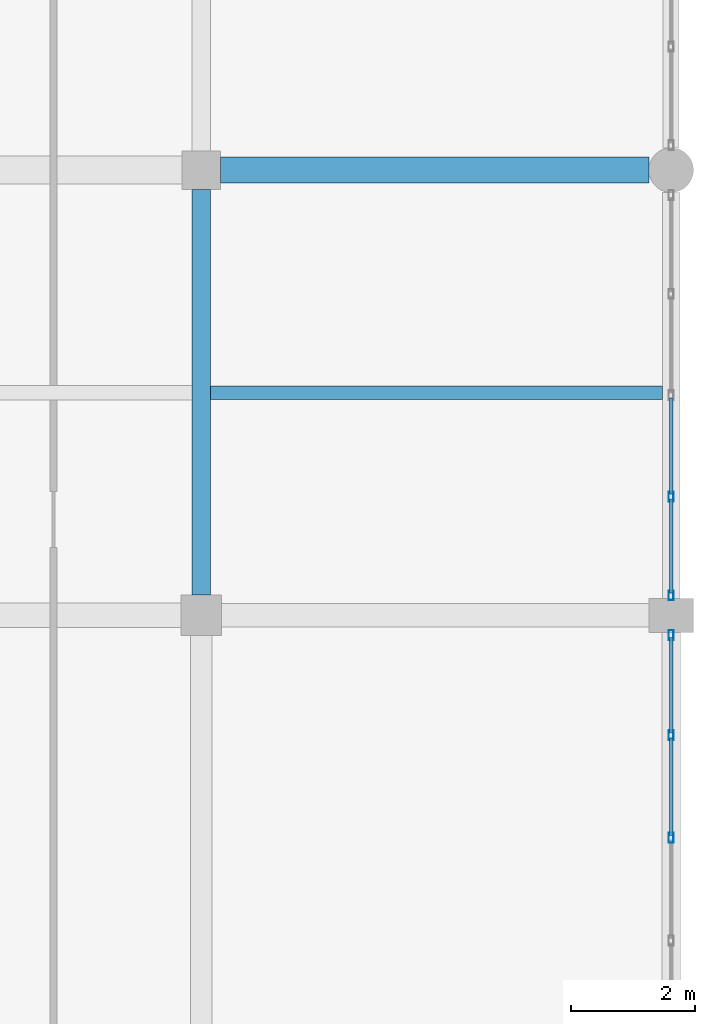
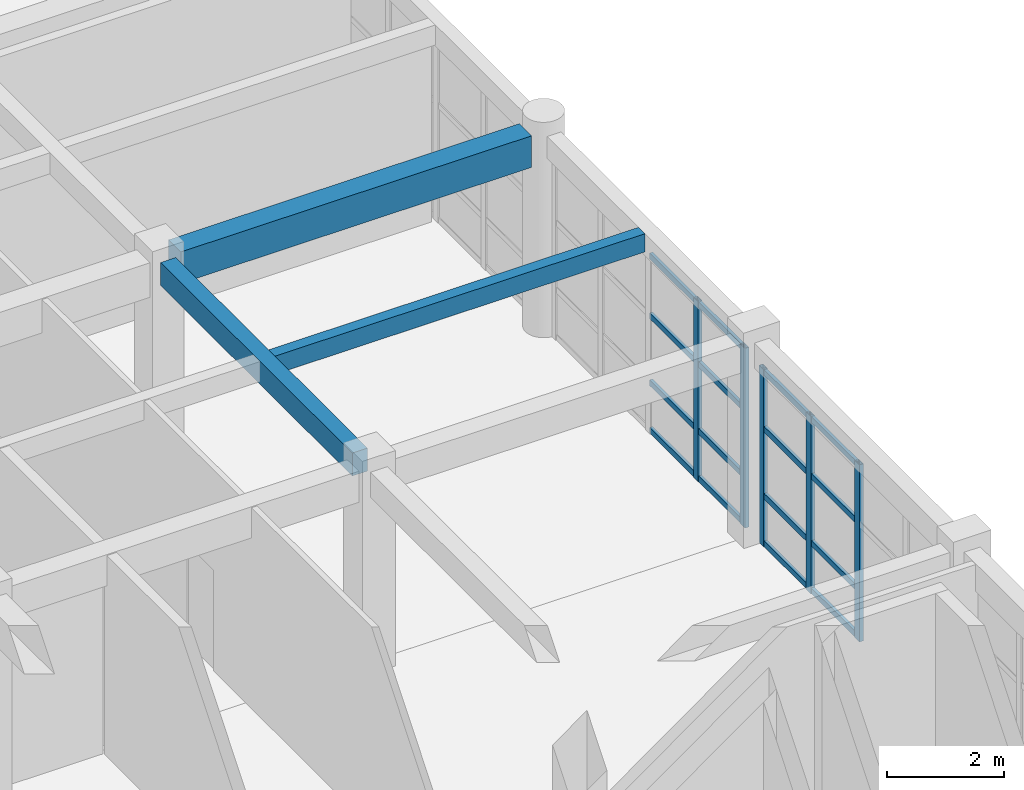
# One storey, part 106 of 160: 21 members, 3 beams, 2 elements without a shape of their own.
"""IFC4 building model written with IfcOpenShell, lengths in metres."""

from ifc_helpers import new_model, si_unit, direction, frame, origin, origin_2d, place, context, subcontext, project, spatial, rectangle, hollow_rectangle, extrude, material, material_profile, profile_set, type_object, element, aggregate, save


model = new_model("IFC4")

# Units and contexts
model_context = context("Model", 3, precision=1e-05, world=origin(), true_north=direction((0.0, 1.0)))
body_context = subcontext(model_context, "Body", "Model", "MODEL_VIEW")
ifc_project = project(units=[si_unit("LENGTHUNIT", "METRE"), si_unit("AREAUNIT", "SQUARE_METRE"), si_unit("VOLUMEUNIT", "CUBIC_METRE"), si_unit("PLANEANGLEUNIT", "RADIAN"), si_unit("MASSUNIT", "GRAM", prefix="KILO")], contexts=[model_context])

# Site, building, storey
site_placement = place(None, origin())
site = spatial("IfcSite", under=ifc_project, at=site_placement, CompositionType="ELEMENT")
building_placement = place(site_placement, origin())
building = spatial("IfcBuilding", under=site, at=building_placement, Name="Kharva Crest Polytechnic", CompositionType="ELEMENT")
storey_placement = place(building_placement, frame((0.0, 0.0, 4.5)))
storey = spatial("IfcBuildingStorey", under=building, at=storey_placement, Name="L01", CompositionType="ELEMENT", Elevation=4.5)

# Beams
ifc_material_1 = material(Name="Concrete C35/45", Category="concrete")
ifc_material_profile_1 = material_profile(ifc_material_1, rectangle(XDim=0.300048828125, YDim=0.47998046875, at=origin_2d()), Name="RECT 300 X 480")
ifc_profile_set_1 = profile_set([ifc_material_profile_1], Name="Concrete C35/45")
beam_type_1 = type_object("IfcBeamType", Name="BM-RC-300X480", PredefinedType="BEAM", material=ifc_profile_set_1)
beam_1_placement = place(storey_placement, frame((176.39990234375, 100.72509765625, 3.97998046875), z_axis=(0.0, 1.0, 0.0), x_axis=(-1.0, 0.0, 0.0)))
element("IfcBeam", 1, at=beam_1_placement, inside=storey, type_object=beam_type_1, Name="L01 Girder 23/P-Q", PredefinedType="BEAM", context=body_context, shape_type="SweptSolid", body=[
    extrude(rectangle(XDim=0.300048828125, YDim=0.47998046875, at=origin_2d()), origin(), (0.0, 0.0, 1.0), 6.56494140625),
])
ifc_material_profile_2 = material_profile(ifc_material_1, rectangle(XDim=0.419921875, YDim=0.659912109375, at=origin_2d()), Name="RECT 420 X 660")
ifc_profile_set_2 = profile_set([ifc_material_profile_2], Name="Concrete C35/45")
beam_type_2 = type_object("IfcBeamType", Name="BM-RC-420X660", PredefinedType="BEAM", material=ifc_profile_set_2)
beam_2_placement = place(storey_placement, frame((176.7099609375, 107.60009765625, 3.889892578125), z_axis=(1.0, 0.0, 0.0), x_axis=(0.0, 1.0, 0.0)))
element("IfcBeam", 2, at=beam_2_placement, inside=storey, type_object=beam_type_2, Name="L01 Beam Q/23-24", PredefinedType="BEAM", context=body_context, shape_type="SweptSolid", body=[
    extrude(rectangle(XDim=0.419921875, YDim=0.659912109375, at=origin_2d()), origin(), (0.0, 0.0, 1.0), 6.929931640625),
])

# Curtain wall, members
ifc_material_2 = material(Name="Tempered insulated glass", Category="glass")
curtain_wall_type = type_object("IfcCurtainWallType", Name="CW-SYS-COURT", PredefinedType="USERDEFINED", material=ifc_material_2)
curtain_wall_1_placement = place(storey_placement, origin())
curtain_wall_1 = element("IfcCurtainWall", 3, at=curtain_wall_1_placement, inside=storey, type_object=curtain_wall_type, Name="L01 Glazed Curtain Wall CW-064", ObjectType="CURTAIN WALL", PredefinedType="USERDEFINED")
ifc_material_3 = material(Name="Steel S355", Category="steel")
ifc_material_profile_3 = material_profile(ifc_material_3, hollow_rectangle(XDim=0.080078125, YDim=0.159912109375, WallThickness=0.0048828125, at=origin_2d()), Name="RHS 160X80X5.0")
ifc_profile_set_3 = profile_set([ifc_material_profile_3], Name="Steel S355")
member_type_1 = type_object("IfcMemberType", Name="CWM-RHS160X80", PredefinedType="MULLION", material=ifc_profile_set_3)
member_1_placement = place(storey_placement, frame((184.0, 96.800048828125, 0.0), z_axis=(0.0, 0.0, 1.0), x_axis=(-1.0, 0.0, 0.0)))
member_1 = element("IfcMember", 4, at=member_1_placement, type_object=member_type_1, Name="CW-064 mullion 3", PredefinedType="MULLION", context=body_context, shape_type="SweptSolid", body=[
    extrude(hollow_rectangle(XDim=0.080078125, YDim=0.159912109375, WallThickness=0.0048828125, at=origin_2d()), origin(), (0.0, 0.0, 1.0), 3.699951171875),
])
member_2_placement = place(storey_placement, frame((184.0, 98.4599609375, 0.0), z_axis=(0.0, 0.0, 1.0), x_axis=(-1.0, 0.0, 0.0)))
member_2 = element("IfcMember", 5, at=member_2_placement, type_object=member_type_1, Name="CW-064 mullion 4", PredefinedType="MULLION", context=body_context, shape_type="SweptSolid", body=[
    extrude(hollow_rectangle(XDim=0.080078125, YDim=0.159912109375, WallThickness=0.0048828125, at=origin_2d()), origin(), (0.0, 0.0, 1.0), 3.699951171875),
])
member_3_placement = place(storey_placement, frame((184.0, 100.080078125, 0.0), z_axis=(0.0, 0.0, 1.0), x_axis=(-1.0, 0.0, 0.0)))
member_3 = element("IfcMember", 6, at=member_3_placement, type_object=member_type_1, Name="CW-064 mullion 5", PredefinedType="MULLION", context=body_context, shape_type="SweptSolid", body=[
    extrude(hollow_rectangle(XDim=0.080078125, YDim=0.159912109375, WallThickness=0.0048828125, at=origin_2d()), origin(), (0.0, 0.0, 1.0), 3.699951171875),
])

curtain_wall_2_placement = place(storey_placement, origin())
curtain_wall_2 = element("IfcCurtainWall", 7, at=curtain_wall_2_placement, inside=storey, type_object=curtain_wall_type, Name="L01 Glazed Curtain Wall CW-065", ObjectType="CURTAIN WALL", PredefinedType="USERDEFINED")
member_4_placement = place(storey_placement, frame((184.0, 100.719970703125, 0.0), z_axis=(0.0, 0.0, 1.0), x_axis=(-1.0, 0.0, 0.0)))
member_4 = element("IfcMember", 8, at=member_4_placement, type_object=member_type_1, Name="CW-065 mullion 1", PredefinedType="MULLION", context=body_context, shape_type="SweptSolid", body=[
    extrude(hollow_rectangle(XDim=0.080078125, YDim=0.159912109375, WallThickness=0.0048828125, at=origin_2d()), origin(), (0.0, 0.0, 1.0), 3.760009765625),
])
member_5_placement = place(storey_placement, frame((184.0, 102.31884765625, 0.0), z_axis=(0.0, 0.0, 1.0), x_axis=(-1.0, 0.0, 0.0)))
member_5 = element("IfcMember", 9, at=member_5_placement, type_object=member_type_1, Name="CW-065 mullion 2", PredefinedType="MULLION", context=body_context, shape_type="SweptSolid", body=[
    extrude(hollow_rectangle(XDim=0.080078125, YDim=0.159912109375, WallThickness=0.0048828125, at=origin_2d()), origin(), (0.0, 0.0, 1.0), 3.760009765625),
])

# Member
ifc_material_profile_4 = material_profile(ifc_material_3, hollow_rectangle(XDim=0.06005859375, YDim=0.1201171875, WallThickness=0.00390625, at=origin_2d()), Name="RHS 120X60X4.0")
ifc_profile_set_4 = profile_set([ifc_material_profile_4], Name="Steel S355")
member_type_2 = type_object("IfcMemberType", Name="CWT-RHS120X60", PredefinedType="USERDEFINED", material=ifc_profile_set_4)
member_6_placement = place(storey_placement, frame((184.0, 96.840087890625, 0.06005859375), z_axis=(0.0, 1.0, 0.0), x_axis=(-1.0, 0.0, 0.0)))
member_6 = element("IfcMember", 10, at=member_6_placement, type_object=member_type_2, Name="CW-064 transom 3.1", ObjectType="TRANSOM", PredefinedType="USERDEFINED", context=body_context, shape_type="SweptSolid", body=[
    extrude(hollow_rectangle(XDim=0.06005859375, YDim=0.1201171875, WallThickness=0.00390625, at=origin_2d()), origin(), (0.0, 0.0, 1.0), 1.579833984375),
])

member_7_placement = place(storey_placement, frame((184.0, 96.840087890625, 1.050048828125), z_axis=(0.0, 1.0, 0.0), x_axis=(-1.0, 0.0, 0.0)))
member_7 = element("IfcMember", 11, at=member_7_placement, type_object=member_type_2, Name="CW-064 transom 3.2", ObjectType="TRANSOM", PredefinedType="USERDEFINED", context=body_context, shape_type="SweptSolid", body=[
    extrude(hollow_rectangle(XDim=0.06005859375, YDim=0.1201171875, WallThickness=0.00390625, at=origin_2d()), origin(), (0.0, 0.0, 1.0), 1.579833984375),
])

member_8_placement = place(storey_placement, frame((184.0, 96.840087890625, 2.449951171875), z_axis=(0.0, 1.0, 0.0), x_axis=(-1.0, 0.0, 0.0)))
member_8 = element("IfcMember", 12, at=member_8_placement, type_object=member_type_2, Name="CW-064 transom 3.3", ObjectType="TRANSOM", PredefinedType="USERDEFINED", context=body_context, shape_type="SweptSolid", body=[
    extrude(hollow_rectangle(XDim=0.06005859375, YDim=0.1201171875, WallThickness=0.00390625, at=origin_2d()), origin(), (0.0, 0.0, 1.0), 1.579833984375),
])

member_9_placement = place(storey_placement, frame((184.0, 96.840087890625, 3.639892578125), z_axis=(0.0, 1.0, 0.0), x_axis=(-1.0, 0.0, 0.0)))
member_9 = element("IfcMember", 13, at=member_9_placement, type_object=member_type_2, Name="CW-064 transom 3.4", ObjectType="TRANSOM", PredefinedType="USERDEFINED", context=body_context, shape_type="SweptSolid", body=[
    extrude(hollow_rectangle(XDim=0.06005859375, YDim=0.1201171875, WallThickness=0.00390625, at=origin_2d()), origin(), (0.0, 0.0, 1.0), 1.579833984375),
])

member_10_placement = place(storey_placement, frame((184.0, 98.5, 0.06005859375), z_axis=(0.0, 1.0, 0.0), x_axis=(-1.0, 0.0, 0.0)))
member_10 = element("IfcMember", 14, at=member_10_placement, type_object=member_type_2, Name="CW-064 transom 4.1", ObjectType="TRANSOM", PredefinedType="USERDEFINED", context=body_context, shape_type="SweptSolid", body=[
    extrude(hollow_rectangle(XDim=0.06005859375, YDim=0.1201171875, WallThickness=0.00390625, at=origin_2d()), origin(), (0.0, 0.0, 1.0), 1.5400390625),
])

member_11_placement = place(storey_placement, frame((184.0, 98.5, 1.050048828125), z_axis=(0.0, 1.0, 0.0), x_axis=(-1.0, 0.0, 0.0)))
member_11 = element("IfcMember", 15, at=member_11_placement, type_object=member_type_2, Name="CW-064 transom 4.2", ObjectType="TRANSOM", PredefinedType="USERDEFINED", context=body_context, shape_type="SweptSolid", body=[
    extrude(hollow_rectangle(XDim=0.06005859375, YDim=0.1201171875, WallThickness=0.00390625, at=origin_2d()), origin(), (0.0, 0.0, 1.0), 1.5400390625),
])

member_12_placement = place(storey_placement, frame((184.0, 98.5, 2.449951171875), z_axis=(0.0, 1.0, 0.0), x_axis=(-1.0, 0.0, 0.0)))
member_12 = element("IfcMember", 16, at=member_12_placement, type_object=member_type_2, Name="CW-064 transom 4.3", ObjectType="TRANSOM", PredefinedType="USERDEFINED", context=body_context, shape_type="SweptSolid", body=[
    extrude(hollow_rectangle(XDim=0.06005859375, YDim=0.1201171875, WallThickness=0.00390625, at=origin_2d()), origin(), (0.0, 0.0, 1.0), 1.5400390625),
])

member_13_placement = place(storey_placement, frame((184.0, 98.5, 3.639892578125), z_axis=(0.0, 1.0, 0.0), x_axis=(-1.0, 0.0, 0.0)))
member_13 = element("IfcMember", 17, at=member_13_placement, type_object=member_type_2, Name="CW-064 transom 4.4", ObjectType="TRANSOM", PredefinedType="USERDEFINED", context=body_context, shape_type="SweptSolid", body=[
    extrude(hollow_rectangle(XDim=0.06005859375, YDim=0.1201171875, WallThickness=0.00390625, at=origin_2d()), origin(), (0.0, 0.0, 1.0), 1.5400390625),
])

aggregate(curtain_wall_1, [member_1, member_2, member_3, member_6, member_7, member_8, member_9, member_10, member_11, member_12, member_13])

member_14_placement = place(storey_placement, frame((184.0, 100.760009765625, 0.06005859375), z_axis=(0.0, 1.0, 0.0), x_axis=(-1.0, 0.0, 0.0)))
member_14 = element("IfcMember", 18, at=member_14_placement, type_object=member_type_2, Name="CW-065 transom 1.1", ObjectType="TRANSOM", PredefinedType="USERDEFINED", context=body_context, shape_type="SweptSolid", body=[
    extrude(hollow_rectangle(XDim=0.06005859375, YDim=0.1201171875, WallThickness=0.00390625, at=origin_2d()), origin(), (0.0, 0.0, 1.0), 1.518798828125),
])

member_15_placement = place(storey_placement, frame((184.0, 100.760009765625, 1.050048828125), z_axis=(0.0, 1.0, 0.0), x_axis=(-1.0, 0.0, 0.0)))
member_15 = element("IfcMember", 19, at=member_15_placement, type_object=member_type_2, Name="CW-065 transom 1.2", ObjectType="TRANSOM", PredefinedType="USERDEFINED", context=body_context, shape_type="SweptSolid", body=[
    extrude(hollow_rectangle(XDim=0.06005859375, YDim=0.1201171875, WallThickness=0.00390625, at=origin_2d()), origin(), (0.0, 0.0, 1.0), 1.518798828125),
])

member_16_placement = place(storey_placement, frame((184.0, 100.760009765625, 2.449951171875), z_axis=(0.0, 1.0, 0.0), x_axis=(-1.0, 0.0, 0.0)))
member_16 = element("IfcMember", 20, at=member_16_placement, type_object=member_type_2, Name="CW-065 transom 1.3", ObjectType="TRANSOM", PredefinedType="USERDEFINED", context=body_context, shape_type="SweptSolid", body=[
    extrude(hollow_rectangle(XDim=0.06005859375, YDim=0.1201171875, WallThickness=0.00390625, at=origin_2d()), origin(), (0.0, 0.0, 1.0), 1.518798828125),
])

member_17_placement = place(storey_placement, frame((184.0, 100.760009765625, 3.699951171875), z_axis=(0.0, 1.0, 0.0), x_axis=(-1.0, 0.0, 0.0)))
member_17 = element("IfcMember", 21, at=member_17_placement, type_object=member_type_2, Name="CW-065 transom 1.4", ObjectType="TRANSOM", PredefinedType="USERDEFINED", context=body_context, shape_type="SweptSolid", body=[
    extrude(hollow_rectangle(XDim=0.06005859375, YDim=0.1201171875, WallThickness=0.00390625, at=origin_2d()), origin(), (0.0, 0.0, 1.0), 1.518798828125),
])

member_18_placement = place(storey_placement, frame((184.0, 102.358642578125, 0.06005859375), z_axis=(0.0, 1.0, 0.0), x_axis=(-1.0, 0.0, 0.0)))
member_18 = element("IfcMember", 22, at=member_18_placement, type_object=member_type_2, Name="CW-065 transom 2.1", ObjectType="TRANSOM", PredefinedType="USERDEFINED", context=body_context, shape_type="SweptSolid", body=[
    extrude(hollow_rectangle(XDim=0.06005859375, YDim=0.1201171875, WallThickness=0.00390625, at=origin_2d()), origin(), (0.0, 0.0, 1.0), 1.558837890625),
])

member_19_placement = place(storey_placement, frame((184.0, 102.358642578125, 1.050048828125), z_axis=(0.0, 1.0, 0.0), x_axis=(-1.0, 0.0, 0.0)))
member_19 = element("IfcMember", 23, at=member_19_placement, type_object=member_type_2, Name="CW-065 transom 2.2", ObjectType="TRANSOM", PredefinedType="USERDEFINED", context=body_context, shape_type="SweptSolid", body=[
    extrude(hollow_rectangle(XDim=0.06005859375, YDim=0.1201171875, WallThickness=0.00390625, at=origin_2d()), origin(), (0.0, 0.0, 1.0), 1.558837890625),
])

member_20_placement = place(storey_placement, frame((184.0, 102.358642578125, 2.449951171875), z_axis=(0.0, 1.0, 0.0), x_axis=(-1.0, 0.0, 0.0)))
member_20 = element("IfcMember", 24, at=member_20_placement, type_object=member_type_2, Name="CW-065 transom 2.3", ObjectType="TRANSOM", PredefinedType="USERDEFINED", context=body_context, shape_type="SweptSolid", body=[
    extrude(hollow_rectangle(XDim=0.06005859375, YDim=0.1201171875, WallThickness=0.00390625, at=origin_2d()), origin(), (0.0, 0.0, 1.0), 1.558837890625),
])

member_21_placement = place(storey_placement, frame((184.0, 102.358642578125, 3.699951171875), z_axis=(0.0, 1.0, 0.0), x_axis=(-1.0, 0.0, 0.0)))
member_21 = element("IfcMember", 25, at=member_21_placement, type_object=member_type_2, Name="CW-065 transom 2.4", ObjectType="TRANSOM", PredefinedType="USERDEFINED", context=body_context, shape_type="SweptSolid", body=[
    extrude(hollow_rectangle(XDim=0.06005859375, YDim=0.1201171875, WallThickness=0.00390625, at=origin_2d()), origin(), (0.0, 0.0, 1.0), 1.558837890625),
])

aggregate(curtain_wall_2, [member_4, member_5, member_14, member_15, member_16, member_17, member_18, member_19, member_20, member_21])

# Beam
ifc_material_profile_5 = material_profile(ifc_material_1, rectangle(XDim=0.219970703125, YDim=0.3798828125, at=origin_2d()), Name="RECT 220 X 380")
ifc_profile_set_5 = profile_set([ifc_material_profile_5], Name="Concrete C35/45")
beam_type_3 = type_object("IfcBeamType", Name="JS-RC-220X380", PredefinedType="JOIST", material=ifc_profile_set_5)
beam_3_placement = place(storey_placement, frame((176.550048828125, 104.0, 4.030029296875), z_axis=(1.0, 0.0, 0.0), x_axis=(0.0, 1.0, 0.0)))
element("IfcBeam", 26, at=beam_3_placement, inside=storey, type_object=beam_type_3, Name="L01 Floor Joist 25", PredefinedType="JOIST", context=body_context, shape_type="SweptSolid", body=[
    extrude(rectangle(XDim=0.219970703125, YDim=0.3798828125, at=origin_2d()), origin(), (0.0, 0.0, 1.0), 7.31005859375),
])

save(model, "model.ifc")
